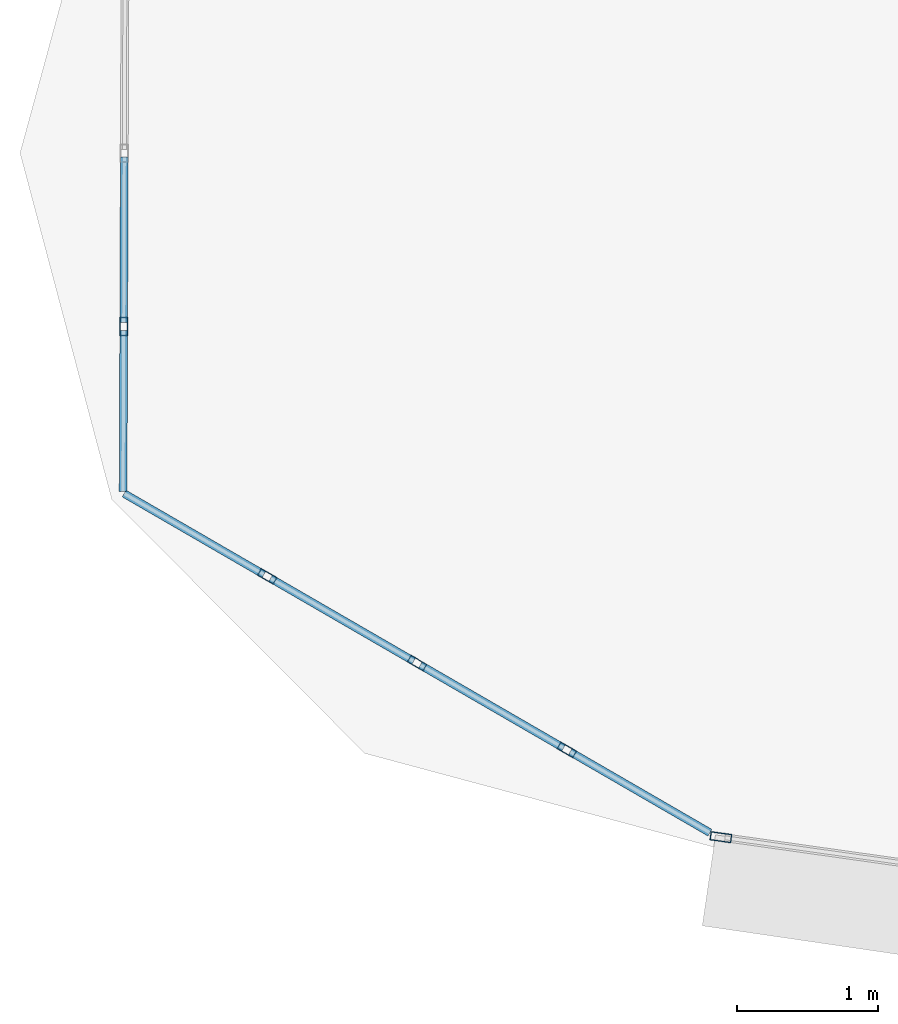
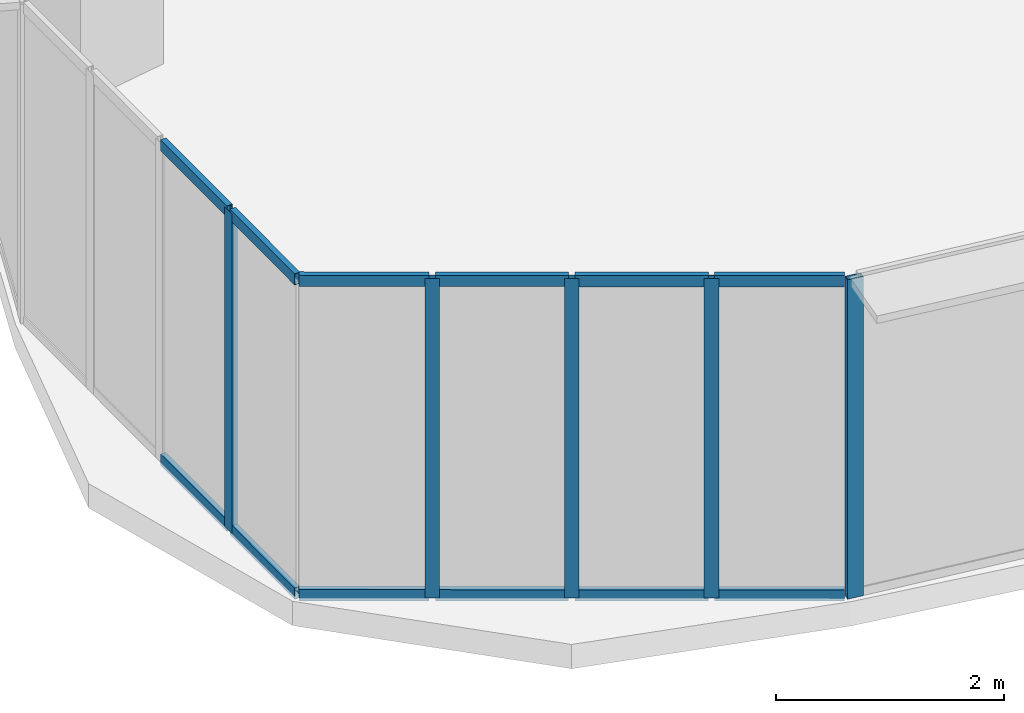
# One storey, part 2 of 40: 17 members, 3 elements without a shape of their own.
"""IFC4 building model written with IfcOpenShell, lengths in metres."""

import ifcopenshell
import ifcopenshell.guid

model = None  # the IFC model being written
_history = None  # IfcOwnerHistory: only IFC2X3 demands one
_inside = {}  # id of a spatial element -> (the spatial element, [elements in it])
_under = {}  # id of a project, library or spatial element -> (it, [spatial elements below it])
_declared = {}  # id of a project -> (the project, [libraries it declares])
_typed = {}  # id of a type object -> (the type object, [elements of that type])
_made_of = {}  # id of a material, layer set ... -> (it, [elements and type objects made of it])


def new_model(schema):
    """Start an empty IFC model of exactly this schema.

    Asked for "IFC4X3", IfcOpenShell would pick the latest addendum, in which some entities
    have other attributes; the version numbers below select the first issue.
    IFC2X3 requires an IfcOwnerHistory on every rooted entity: one is made here for all.
    """
    global model, _history
    if schema == "IFC4X3":
        model = ifcopenshell.file(schema_version=(4, 3, 0, 0))
    else:
        model = ifcopenshell.file(schema=schema)
    _inside.clear()
    _under.clear()
    _declared.clear()
    _typed.clear()
    _made_of.clear()
    _history = None
    if model.schema == "IFC2X3":
        org = make("IfcOrganization", Name="unknown")
        user = make(
            "IfcPersonAndOrganization",
            ThePerson=make("IfcPerson", FamilyName="unknown"),
            TheOrganization=org,
        )
        app = make(
            "IfcApplication",
            ApplicationDeveloper=org,
            Version="unknown",
            ApplicationFullName="unknown",
            ApplicationIdentifier="unknown",
        )
        _history = make(
            "IfcOwnerHistory",
            OwningUser=user,
            OwningApplication=app,
            ChangeAction="ADDED",
            CreationDate=0,
        )
    return model


def make(cls, **values):
    """One entity of the class cls with the attributes given. An attribute that is None is left unset."""
    return model.create_entity(
        cls, **{name: value for name, value in values.items() if value is not None}
    )


def rooted(cls, **values):
    """An entity with a GlobalId (a new one), such as an element, a storey or a relation."""
    return make(cls, GlobalId=ifcopenshell.guid.new(), OwnerHistory=_history, **values)


def si_unit(unit_type, name, prefix=None):
    """IfcSIUnit, for example si_unit("LENGTHUNIT", "METRE", prefix="MILLI")."""
    return make("IfcSIUnit", UnitType=unit_type, Prefix=prefix, Name=name)


def assignment(units):
    """IfcUnitAssignment: the units of a project."""
    return None if units is None else make("IfcUnitAssignment", Units=units)


def point(xyz):
    """IfcCartesianPoint."""
    return None if xyz is None else make("IfcCartesianPoint", Coordinates=xyz)


def direction(xyz):
    """IfcDirection."""
    return None if xyz is None else make("IfcDirection", DirectionRatios=xyz)


def frame(location, z_axis=None, x_axis=None):
    """IfcAxis2Placement3D, a coordinate frame: its origin and axes. An axis left out is left unset."""
    return make(
        "IfcAxis2Placement3D",
        Location=point(location),
        Axis=direction(z_axis),
        RefDirection=direction(x_axis),
    )


def frame_2d(location, x_axis=None):
    """IfcAxis2Placement2D, a coordinate frame in the plane: its origin and x axis."""
    return make(
        "IfcAxis2Placement2D", Location=point(location), RefDirection=direction(x_axis)
    )


def origin():
    """The frame at (0, 0, 0) with its axes left unset."""
    return frame((0.0, 0.0, 0.0))


def origin_2d():
    """The frame at (0, 0) in the plane with its x axis left unset."""
    return frame_2d((0.0, 0.0))


def place(relative_to, where):
    """IfcLocalPlacement: puts the frame where relative to a parent placement (None: the world)."""
    return make(
        "IfcLocalPlacement", PlacementRelTo=relative_to, RelativePlacement=where
    )


def context(
    kind, dimensions, precision=None, world=None, true_north=None, identifier=None
):
    """IfcGeometricRepresentationContext, for example the 3D "Model" context."""
    return make(
        "IfcGeometricRepresentationContext",
        ContextIdentifier=identifier,
        ContextType=kind,
        CoordinateSpaceDimension=dimensions,
        Precision=precision,
        WorldCoordinateSystem=world,
        TrueNorth=true_north,
    )


def subcontext(parent, identifier, kind, view, scale=None):
    """IfcGeometricRepresentationSubContext, for example "Body" below "Model"."""
    return make(
        "IfcGeometricRepresentationSubContext",
        ContextIdentifier=identifier,
        ContextType=kind,
        ParentContext=parent,
        TargetScale=scale,
        TargetView=view,
    )


def project(units=None, contexts=None):
    """IfcProject with its units and contexts."""
    return rooted(
        "IfcProject",
        Name="project",
        RepresentationContexts=contexts,
        UnitsInContext=assignment(units),
    )


def spatial(cls, under=None, at=None, **own):
    """A site, building, storey or space (cls), placed at a placement, below another one or the project."""
    s = rooted(cls, ObjectPlacement=at, **own)
    if under is not None:
        _under.setdefault(under.id(), (under, []))[1].append(s)
    return s


def profile(cls, at=None, kind="AREA", **sizes):
    """A parametric profile (cls). Its sizes go by their IFC names, for example OverallWidth=200.0."""
    return make(cls, ProfileType=kind, Position=at, **sizes)


def hollow_rectangle(**sizes):
    """IfcRectangleHollowProfileDef."""
    return profile("IfcRectangleHollowProfileDef", **sizes)


def extrude(swept, where, along, depth):
    """IfcExtrudedAreaSolid: the profile swept, set in the frame where, extruded along a direction by depth."""
    return make(
        "IfcExtrudedAreaSolid",
        SweptArea=swept,
        Position=where,
        ExtrudedDirection=direction(along),
        Depth=depth,
    )


def shape(context_of_items, identifier, shape_type, items):
    """IfcShapeRepresentation: the items that make up one representation, for example the "Body"."""
    return make(
        "IfcShapeRepresentation",
        ContextOfItems=context_of_items,
        RepresentationIdentifier=identifier,
        RepresentationType=shape_type,
        Items=items,
    )


def source(mapping_origin, context_of_items, identifier, shape_type, items):
    """IfcRepresentationMap: a shape defined once, which mapped items show again and again."""
    return make(
        "IfcRepresentationMap",
        MappingOrigin=mapping_origin,
        MappedRepresentation=shape(context_of_items, identifier, shape_type, items),
    )


def transform(
    local_origin,
    x_axis=None,
    y_axis=None,
    z_axis=None,
    scale=None,
    scale2=None,
    scale3=None,
    uniform=True,
):
    """IfcCartesianTransformationOperator3D, or its non-uniform kind. x_axis, y_axis, z_axis: its Axis1, 2, 3."""
    if uniform:
        return make(
            "IfcCartesianTransformationOperator3D",
            Axis1=direction(x_axis),
            Axis2=direction(y_axis),
            LocalOrigin=point(local_origin),
            Scale=scale,
            Axis3=direction(z_axis),
        )
    return make(
        "IfcCartesianTransformationOperator3DnonUniform",
        Axis1=direction(x_axis),
        Axis2=direction(y_axis),
        LocalOrigin=point(local_origin),
        Scale=scale,
        Axis3=direction(z_axis),
        Scale2=scale2,
        Scale3=scale3,
    )


def mapped(mapping_source, mapping_target):
    """IfcMappedItem: shows the shape of a source again, moved by a transform."""
    return make(
        "IfcMappedItem", MappingSource=mapping_source, MappingTarget=mapping_target
    )


def material(Name=None, Category=None):
    """IfcMaterial."""
    return make("IfcMaterial", Name=Name, Category=Category)


def layer(
    of_material, thickness, ventilated=None, Name=None, Category=None, Priority=None
):
    """IfcMaterialLayer: one layer of a wall or slab, of a material (None: an air gap)."""
    return make(
        "IfcMaterialLayer",
        Material=of_material,
        LayerThickness=thickness,
        IsVentilated=ventilated,
        Name=Name,
        Category=Category,
        Priority=Priority,
    )


def layer_set(layers, Name=None):
    """IfcMaterialLayerSet."""
    return make("IfcMaterialLayerSet", MaterialLayers=layers, LayerSetName=Name)


def material_profile(
    of_material, cross_section, Name=None, Category=None, Priority=None
):
    """IfcMaterialProfile: a cross section and its material."""
    return make(
        "IfcMaterialProfile",
        Name=Name,
        Material=of_material,
        Profile=cross_section,
        Priority=Priority,
        Category=Category,
    )


def profile_set(profiles, Name=None, composite=None):
    """IfcMaterialProfileSet."""
    return make(
        "IfcMaterialProfileSet",
        Name=Name,
        MaterialProfiles=profiles,
        CompositeProfile=composite,
    )


def made_of(thing, what):
    """Note that an element or type object is made of a material, layer set ...; save() writes the relation."""
    if what is not None:
        _made_of.setdefault(what.id(), (what, []))[1].append(thing)
    return thing


def type_object(cls, material=None, **own):
    """A type object (cls), such as IfcWallType, which elements share."""
    return made_of(rooted(cls, **own), material)


def element(
    cls,
    number,
    at=None,
    inside=None,
    cuts=None,
    type_object=None,
    material=None,
    context=None,
    identifier="Body",
    shape_type=None,
    held_by="IfcProductDefinitionShape",
    body=None,
    shapes=None,
    **own,
):
    """One element of the class cls, such as IfcWall. Its Tag is "e" and its number.

    at: its placement. inside: the storey or other place that contains it. cuts: it is an
    opening in that element (IfcRelVoidsElement). A single representation is given by context,
    identifier, shape_type and body (its items); several are given by shapes. held_by: the class
    of the entity that holds the representations. save() writes the other relations.
    """
    e = rooted(cls, Tag="e%d" % number, ObjectPlacement=at, **own)
    if body is not None:
        shapes = [shape(context, identifier, shape_type, body)]
    if shapes is not None:
        e.Representation = make(held_by, Representations=shapes)
    if inside is not None:
        _inside.setdefault(inside.id(), (inside, []))[1].append(e)
    if cuts is not None:
        rooted(
            "IfcRelVoidsElement", RelatingBuildingElement=cuts, RelatedOpeningElement=e
        )
    if type_object is not None:
        _typed.setdefault(type_object.id(), (type_object, []))[1].append(e)
    return made_of(e, material)


def aggregate(whole, parts):
    """IfcRelAggregates: a whole, such as a stair, and the parts it consists of."""
    return rooted("IfcRelAggregates", RelatingObject=whole, RelatedObjects=parts)


def save(model, path):
    """Write the relations noted so far, then the file.

    IfcRelAggregates (storeys below a building ...), IfcRelContainedInSpatialStructure (elements
    in a storey), IfcRelDefinesByType, IfcRelAssociatesMaterial and IfcRelDeclares: one each for
    every whole, place, type object, material and project.
    """
    for whole, parts in _under.values():
        aggregate(whole, parts)
    for where, things in _inside.values():
        rooted(
            "IfcRelContainedInSpatialStructure",
            RelatedElements=things,
            RelatingStructure=where,
        )
    for kind, things in _typed.values():
        rooted("IfcRelDefinesByType", RelatedObjects=things, RelatingType=kind)
    for what, things in _made_of.values():
        rooted("IfcRelAssociatesMaterial", RelatedObjects=things, RelatingMaterial=what)
    for by, libraries in _declared.values():
        rooted("IfcRelDeclares", RelatingContext=by, RelatedDefinitions=libraries)
    model.write(path)


model = new_model("IFC4")

# Units and contexts
model_context = context("Model", 3, precision=1e-05, world=origin(), true_north=direction((0.0, 1.0)))
body_context = subcontext(model_context, "Body", "Model", "MODEL_VIEW")
ifc_project = project(units=[si_unit("LENGTHUNIT", "METRE"), si_unit("AREAUNIT", "SQUARE_METRE"), si_unit("VOLUMEUNIT", "CUBIC_METRE"), si_unit("PLANEANGLEUNIT", "RADIAN"), si_unit("MASSUNIT", "GRAM", prefix="KILO"), si_unit("THERMODYNAMICTEMPERATUREUNIT", "KELVIN"), si_unit("POWERUNIT", "WATT")], contexts=[model_context])

# Site, building, storey
site_placement = place(None, origin())
site = spatial("IfcSite", under=ifc_project, at=site_placement, CompositionType="ELEMENT")
building_placement = place(site_placement, origin())
building = spatial("IfcBuilding", under=site, at=building_placement, Name="Yunzhuo Pagoda Commons", CompositionType="ELEMENT")
storey_placement = place(building_placement, frame((0.0, 0.0, 159.27001953125)))
storey = spatial("IfcBuildingStorey", under=building, at=storey_placement, Name="L40", CompositionType="ELEMENT", Elevation=159.27001953125)

# Curtain wall, member
ifc_material = material(Name="Anodized aluminium 6063-T6", Category="aluminium")
ifc_layer_1 = layer(ifc_material, 0.14990234375)
ifc_layer_set_1 = layer_set([ifc_layer_1], Name="Anodized aluminium 6063-T6")
curtain_wall_type_1 = type_object("IfcCurtainWallType", Name="CW-MID Mid-Zone Ribbon Curtain Wall", PredefinedType="NOTDEFINED", material=ifc_layer_set_1)
curtain_wall_1_placement = place(storey_placement, origin())
curtain_wall_1 = element("IfcCurtainWall", 1, at=curtain_wall_1_placement, inside=storey, type_object=curtain_wall_type_1, Name="L40 curtain wall CW-L40-F1B1", PredefinedType="NOTDEFINED")
ifc_material_profile_1 = material_profile(ifc_material, hollow_rectangle(XDim=0.06005859375, YDim=0.14990234375, WallThickness=0.00390625, at=origin_2d()), Name="Anodized aluminium 6063-T6")
ifc_profile_set_1 = profile_set([ifc_material_profile_1], Name="Anodized aluminium 6063-T6")
member_type_1 = type_object("IfcMemberType", Name="CW-MID-M Mullion RHS 150x60x4", PredefinedType="MULLION", material=ifc_profile_set_1)
shared_shape_1 = source(origin(), body_context, "Body", "SweptSolid", [
    extrude(hollow_rectangle(XDim=0.06005859375, YDim=0.14990234375, WallThickness=0.00390625, at=origin_2d()), origin(), (0.0, 0.0, 1.0), 3.419677734375),
])
member_1_placement = place(storey_placement, frame((12.73193359375, 16.718994140625, 0.000244140625), z_axis=(0.0, 0.0, 1.0), x_axis=(0.13962976996, 0.990203780714, 0.0)))
member_1 = element("IfcMember", 2, at=member_1_placement, type_object=member_type_1, Name="CW mullion 1", PredefinedType="MULLION", context=body_context, shape_type="MappedRepresentation", body=[
    mapped(shared_shape_1, transform((0.0, 0.0, 0.0), scale=1.0)),
])
aggregate(curtain_wall_1, [member_1])

# Curtain wall, members
ifc_layer_2 = layer(ifc_material, 0.1298828125)
ifc_layer_set_2 = layer_set([ifc_layer_2], Name="Anodized aluminium 6063-T6")
curtain_wall_type_2 = type_object("IfcCurtainWallType", Name="CW-VTX Rounded Corner Curtain Wall", PredefinedType="NOTDEFINED", material=ifc_layer_set_2)
curtain_wall_2_placement = place(storey_placement, origin())
curtain_wall_2 = element("IfcCurtainWall", 3, at=curtain_wall_2_placement, inside=storey, type_object=curtain_wall_type_2, Name="L40 curtain wall CW-L40-VTX1S2", PredefinedType="NOTDEFINED")
ifc_material_profile_2 = material_profile(ifc_material, hollow_rectangle(XDim=0.054931640625, YDim=0.1201171875, WallThickness=0.00341796875, at=origin_2d()), Name="Anodized aluminium 6063-T6")
ifc_profile_set_2 = profile_set([ifc_material_profile_2], Name="Anodized aluminium 6063-T6")
member_type_2 = type_object("IfcMemberType", Name="CW-VTX-T Transom RHS 120x55x3.5", PredefinedType="USERDEFINED", material=ifc_profile_set_2)
shared_shape_2 = source(origin(), body_context, "Body", "SweptSolid", [
    extrude(hollow_rectangle(XDim=0.054931640625, YDim=0.1201171875, WallThickness=0.00341796875, at=origin_2d()), origin(), (0.0, 0.0, 1.0), 1.141845703125),
])
member_2_placement = place(storey_placement, frame((11.666015625, 17.32275390625, 0.027587890625), z_axis=(0.865479953388, -0.500943559977, 0.0), x_axis=(0.500943559977, 0.865479953388, 0.0)))
member_2 = element("IfcMember", 4, at=member_2_placement, type_object=member_type_2, Name="CW transom 4.1", ObjectType="TRANSOM", PredefinedType="USERDEFINED", context=body_context, shape_type="MappedRepresentation", body=[
    mapped(shared_shape_2, transform((0.0, 0.0, 0.0), scale=1.0)),
])
member_3_placement = place(storey_placement, frame((11.666015625, 17.32275390625, 3.392578125), z_axis=(0.865479953388, -0.500943559977, 0.0), x_axis=(0.500943559977, 0.865479953388, 0.0)))
member_3 = element("IfcMember", 5, at=member_3_placement, type_object=member_type_2, Name="CW transom 4.2", ObjectType="TRANSOM", PredefinedType="USERDEFINED", context=body_context, shape_type="MappedRepresentation", body=[
    mapped(shared_shape_2, transform((0.0, 0.0, 0.0), scale=1.0)),
])
shared_shape_3 = source(origin(), body_context, "Body", "SweptSolid", [
    extrude(hollow_rectangle(XDim=0.054931640625, YDim=0.1201171875, WallThickness=0.00341796875, at=origin_2d()), origin(), (0.0, 0.0, 1.0), 1.16943359375),
])
member_4_placement = place(storey_placement, frame((9.546875, 18.5498046875, 0.027587890625), z_axis=(0.865402460801, -0.501077420005, 0.0), x_axis=(0.501077420005, 0.865402460801, 0.0)))
member_4 = element("IfcMember", 6, at=member_4_placement, type_object=member_type_2, Name="CW transom 2.1", ObjectType="TRANSOM", PredefinedType="USERDEFINED", context=body_context, shape_type="MappedRepresentation", body=[
    mapped(shared_shape_3, transform((0.0, 0.0, 0.0), scale=1.0)),
])
member_5_placement = place(storey_placement, frame((9.546875, 18.5498046875, 3.392578125), z_axis=(0.865402460801, -0.501077420005, 0.0), x_axis=(0.501077420005, 0.865402460801, 0.0)))
member_5 = element("IfcMember", 7, at=member_5_placement, type_object=member_type_2, Name="CW transom 2.2", ObjectType="TRANSOM", PredefinedType="USERDEFINED", context=body_context, shape_type="MappedRepresentation", body=[
    mapped(shared_shape_3, transform((0.0, 0.0, 0.0), scale=1.0)),
])
member_6_placement = place(storey_placement, frame((10.6064453125, 17.936279296875, 0.027587890625), z_axis=(0.865402460801, -0.501077420005, 0.0), x_axis=(0.501077420005, 0.865402460801, 0.0)))
member_6 = element("IfcMember", 8, at=member_6_placement, type_object=member_type_2, Name="CW transom 3.1", ObjectType="TRANSOM", PredefinedType="USERDEFINED", context=body_context, shape_type="MappedRepresentation", body=[
    mapped(shared_shape_3, transform((0.0, 0.0, 0.0), scale=1.0)),
])
member_7_placement = place(storey_placement, frame((10.6064453125, 17.936279296875, 3.392578125), z_axis=(0.865402460801, -0.501077420005, 0.0), x_axis=(0.501077420005, 0.865402460801, 0.0)))
member_7 = element("IfcMember", 9, at=member_7_placement, type_object=member_type_2, Name="CW transom 3.2", ObjectType="TRANSOM", PredefinedType="USERDEFINED", context=body_context, shape_type="MappedRepresentation", body=[
    mapped(shared_shape_3, transform((0.0, 0.0, 0.0), scale=1.0)),
])

curtain_wall_3_placement = place(storey_placement, origin())
curtain_wall_3 = element("IfcCurtainWall", 10, at=curtain_wall_3_placement, inside=storey, type_object=curtain_wall_type_2, Name="L40 curtain wall CW-L40-VTX1S1", PredefinedType="NOTDEFINED")
shared_shape_4 = source(origin(), body_context, "Body", "SweptSolid", [
    extrude(hollow_rectangle(XDim=0.054931640625, YDim=0.1201171875, WallThickness=0.00341796875, at=origin_2d()), origin(), (0.0, 0.0, 1.0), 1.169677734375),
])
member_8_placement = place(storey_placement, frame((8.51220703125, 21.52880859375, 0.027587890625), z_axis=(-0.003548297429, -0.999993704773, 0.0), x_axis=(0.999993704773, -0.003548297429, 0.0)))
member_8 = element("IfcMember", 11, at=member_8_placement, type_object=member_type_2, Name="CW transom 3.1", ObjectType="TRANSOM", PredefinedType="USERDEFINED", context=body_context, shape_type="MappedRepresentation", body=[
    mapped(shared_shape_4, transform((0.0, 0.0, 0.0), scale=1.0)),
])
member_9_placement = place(storey_placement, frame((8.51220703125, 21.52880859375, 3.392578125), z_axis=(-0.003548297429, -0.999993704773, 0.0), x_axis=(0.999993704773, -0.003548297429, 0.0)))
member_9 = element("IfcMember", 12, at=member_9_placement, type_object=member_type_2, Name="CW transom 3.2", ObjectType="TRANSOM", PredefinedType="USERDEFINED", context=body_context, shape_type="MappedRepresentation", body=[
    mapped(shared_shape_4, transform((0.0, 0.0, 0.0), scale=1.0)),
])
shared_shape_5 = source(origin(), body_context, "Body", "SweptSolid", [
    extrude(hollow_rectangle(XDim=0.054931640625, YDim=0.1201171875, WallThickness=0.00341796875, at=origin_2d()), origin(), (0.0, 0.0, 1.0), 1.1416015625),
])
member_10_placement = place(storey_placement, frame((8.508056640625, 20.30419921875, 0.027587890625), z_axis=(-0.003849415449, -0.999992590973, 0.0), x_axis=(0.999992590973, -0.003849415449, 0.0)))
member_10 = element("IfcMember", 13, at=member_10_placement, type_object=member_type_2, Name="CW transom 4.1", ObjectType="TRANSOM", PredefinedType="USERDEFINED", context=body_context, shape_type="MappedRepresentation", body=[
    mapped(shared_shape_5, transform((0.0, 0.0, 0.0), scale=1.0)),
])
member_11_placement = place(storey_placement, frame((8.508056640625, 20.30419921875, 3.392578125), z_axis=(-0.003849415449, -0.999992590973, 0.0), x_axis=(0.999992590973, -0.003849415449, 0.0)))
member_11 = element("IfcMember", 14, at=member_11_placement, type_object=member_type_2, Name="CW transom 4.2", ObjectType="TRANSOM", PredefinedType="USERDEFINED", context=body_context, shape_type="MappedRepresentation", body=[
    mapped(shared_shape_5, transform((0.0, 0.0, 0.0), scale=1.0)),
])

# Member
shared_shape_6 = source(origin(), body_context, "Body", "SweptSolid", [
    extrude(hollow_rectangle(XDim=0.054931640625, YDim=0.1201171875, WallThickness=0.00341796875, at=origin_2d()), origin(), (0.0, 0.0, 1.0), 1.14208984375),
])
member_12_placement = place(storey_placement, frame((8.510986328125, 19.1494140625, 0.027587890625), z_axis=(0.86538725222, -0.501103685574, 0.0), x_axis=(0.501103685574, 0.86538725222, 0.0)))
member_12 = element("IfcMember", 15, at=member_12_placement, type_object=member_type_2, Name="CW transom 1.1", ObjectType="TRANSOM", PredefinedType="USERDEFINED", context=body_context, shape_type="MappedRepresentation", body=[
    mapped(shared_shape_6, transform((0.0, 0.0, 0.0), scale=1.0)),
])

member_13_placement = place(storey_placement, frame((8.510986328125, 19.1494140625, 3.392578125), z_axis=(0.86538725222, -0.501103685574, 0.0), x_axis=(0.501103685574, 0.86538725222, 0.0)))
member_13 = element("IfcMember", 16, at=member_13_placement, type_object=member_type_2, Name="CW transom 1.2", ObjectType="TRANSOM", PredefinedType="USERDEFINED", context=body_context, shape_type="MappedRepresentation", body=[
    mapped(shared_shape_6, transform((0.0, 0.0, 0.0), scale=1.0)),
])

ifc_material_profile_3 = material_profile(ifc_material, hollow_rectangle(XDim=0.054931640625, YDim=0.1298828125, WallThickness=0.00341796875, at=origin_2d()), Name="Anodized aluminium 6063-T6")
ifc_profile_set_3 = profile_set([ifc_material_profile_3], Name="Anodized aluminium 6063-T6")
member_type_3 = type_object("IfcMemberType", Name="CW-VTX-M Mullion RHS 130x55x3.5", PredefinedType="MULLION", material=ifc_profile_set_3)
shared_shape_7 = source(origin(), body_context, "Body", "SweptSolid", [
    extrude(hollow_rectangle(XDim=0.054931640625, YDim=0.1298828125, WallThickness=0.00341796875, at=origin_2d()), origin(), (0.0, 0.0, 1.0), 3.419677734375),
])
member_14_placement = place(storey_placement, frame((8.508056640625, 20.331787109375, 0.000244140625), z_axis=(0.0, 0.0, 1.0), x_axis=(0.999993542566, -0.00359372042, 0.0)))
member_14 = element("IfcMember", 17, at=member_14_placement, type_object=member_type_3, Name="CW mullion 4", PredefinedType="MULLION", context=body_context, shape_type="MappedRepresentation", body=[
    mapped(shared_shape_7, transform((0.0, 0.0, 0.0), scale=1.0)),
])

aggregate(curtain_wall_3, [member_14, member_8, member_9, member_10, member_11])

member_15_placement = place(storey_placement, frame((9.523193359375, 18.5634765625, 0.000244140625), z_axis=(0.0, 0.0, 1.0), x_axis=(0.501034660762, 0.865427217457, 0.0)))
member_15 = element("IfcMember", 18, at=member_15_placement, type_object=member_type_3, Name="CW mullion 2", PredefinedType="MULLION", context=body_context, shape_type="MappedRepresentation", body=[
    mapped(shared_shape_7, transform((0.0, 0.0, 0.0), scale=1.0)),
])

member_16_placement = place(storey_placement, frame((10.582763671875, 17.949951171875, 0.000244140625), z_axis=(0.0, 0.0, 1.0), x_axis=(0.501034660762, 0.865427217457, 0.0)))
member_16 = element("IfcMember", 19, at=member_16_placement, type_object=member_type_3, Name="CW mullion 3", PredefinedType="MULLION", context=body_context, shape_type="MappedRepresentation", body=[
    mapped(shared_shape_7, transform((0.0, 0.0, 0.0), scale=1.0)),
])

member_17_placement = place(storey_placement, frame((11.642333984375, 17.336669921875, 0.000244140625), z_axis=(0.0, 0.0, 1.0), x_axis=(0.501034660762, 0.865427217457, 0.0)))
member_17 = element("IfcMember", 20, at=member_17_placement, type_object=member_type_3, Name="CW mullion 4", PredefinedType="MULLION", context=body_context, shape_type="MappedRepresentation", body=[
    mapped(shared_shape_7, transform((0.0, 0.0, 0.0), scale=1.0)),
])

aggregate(curtain_wall_2, [member_15, member_16, member_17, member_12, member_13, member_4, member_5, member_6, member_7, member_2, member_3])

save(model, "model.ifc")
